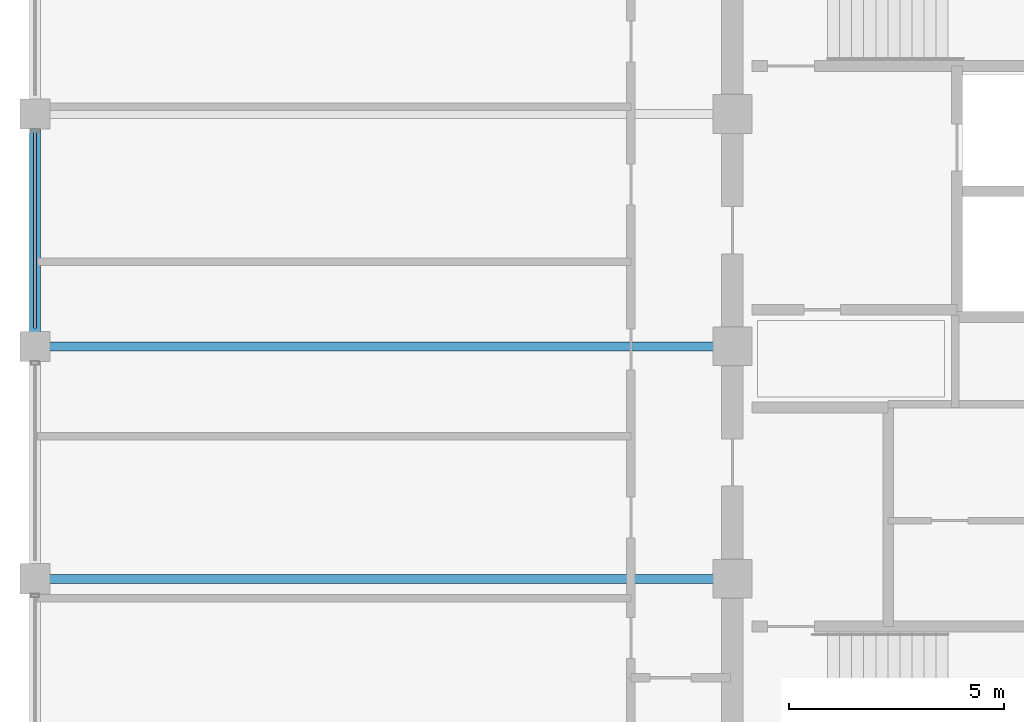
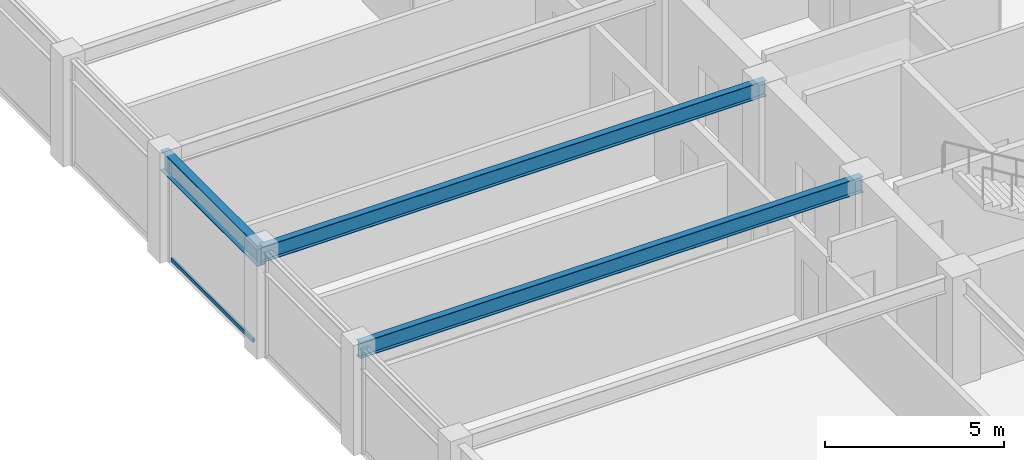
# One storey, part 9 of 30: 3 beams, 1 member, 1 element without a shape of its own.
"""IFC4 building model written with IfcOpenShell, lengths in metres."""

from ifc_helpers import new_model, si_unit, direction, frame, origin, origin_2d, place, context, subcontext, project, spatial, hollow_rectangle, i_section, extrude, material, layer, layer_set, material_profile, profile_set, type_object, element, aggregate, save


model = new_model("IFC4")

# Units and contexts
model_context = context("Model", 3, precision=1e-05, world=origin(), true_north=direction((0.0, 1.0)))
body_context = subcontext(model_context, "Body", "Model", "MODEL_VIEW")
ifc_project = project(units=[si_unit("LENGTHUNIT", "METRE"), si_unit("AREAUNIT", "SQUARE_METRE"), si_unit("VOLUMEUNIT", "CUBIC_METRE"), si_unit("PLANEANGLEUNIT", "RADIAN"), si_unit("MASSUNIT", "GRAM", prefix="KILO")], contexts=[model_context])

# Site, building, storey
site_placement = place(None, origin())
site = spatial("IfcSite", under=ifc_project, at=site_placement, CompositionType="ELEMENT")
building_placement = place(site_placement, origin())
building = spatial("IfcBuilding", under=site, at=building_placement, Name="Surkhivell Harbour Commons", CompositionType="ELEMENT")
storey_placement = place(building_placement, frame((0.0, 0.0, 300.0)))
storey = spatial("IfcBuildingStorey", under=building, at=storey_placement, Name="L78", CompositionType="ELEMENT", Elevation=300.0)

# Beams
ifc_material_1 = material(Name="Steel S355", Category="steel")
ifc_material_profile_1 = material_profile(ifc_material_1, i_section(OverallWidth=0.2099609375, OverallDepth=0.537109375, WebThickness=0.0107421875, FlangeThickness=0.017333984375, at=origin_2d()), Name="UB533x210x101")
ifc_profile_set_1 = profile_set([ifc_material_profile_1], Name="Steel S355")
beam_type_1 = type_object("IfcBeamType", Name="BM-GRD-533B", PredefinedType="BEAM", material=ifc_profile_set_1)
for number, where, z_axis, x_axis, name in (
    (1, (-27.0, -5.39990234375, 3.301513671875), (1.0, 0.0, 0.0), (0.0, 1.0, 0.0), "L78 Floor Girder (-27.0,-5.4)"),
    (2, (-27.0, 0.0, 3.301513671875), (1.0, 0.0, 0.0), (0.0, 1.0, 0.0), "L78 Floor Girder (-27.0,0.0)"),
):
    element("IfcBeam", number, at=place(storey_placement, frame(where, z_axis=z_axis, x_axis=x_axis)), inside=storey, type_object=beam_type_1, Name=name, PredefinedType="BEAM", context=body_context, shape_type="SweptSolid", body=[
        extrude(i_section(OverallWidth=0.2099609375, OverallDepth=0.537109375, WebThickness=0.0107421875, FlangeThickness=0.017333984375, at=origin_2d()), origin(), (0.0, 0.0, 1.0), 16.199951171875),
    ])
ifc_material_profile_2 = material_profile(ifc_material_1, i_section(OverallWidth=0.256103515625, OverallDepth=0.693115234375, WebThickness=0.014404296875, FlangeThickness=0.023681640625, at=origin_2d()), Name="UB686x254x170")
ifc_profile_set_2 = profile_set([ifc_material_profile_2], Name="Steel S355")
beam_type_2 = type_object("IfcBeamType", Name="BM-SPN-686", PredefinedType="SPANDREL", material=ifc_profile_set_2)
beam_placement = place(storey_placement, frame((-27.0, 0.0, 3.223388671875), z_axis=(0.0, 1.0, 0.0), x_axis=(-1.0, 0.0, 0.0)))
element("IfcBeam", 3, at=beam_placement, inside=storey, type_object=beam_type_2, Name="L78 Tube Spandrel (-27.0,0.0)", PredefinedType="SPANDREL", context=body_context, shape_type="SweptSolid", body=[
    extrude(i_section(OverallWidth=0.256103515625, OverallDepth=0.693115234375, WebThickness=0.014404296875, FlangeThickness=0.023681640625, at=origin_2d()), origin(), (0.0, 0.0, 1.0), 5.39990234375),
])

# Curtain wall, member
ifc_material_2 = material(Name="Anodised pale-metal aluminium and insulated glazing", Category="aluminium")
ifc_layer = layer(ifc_material_2, 0.175048828125)
ifc_layer_set = layer_set([ifc_layer], Name="Anodised pale-metal aluminium and insulated glazing")
curtain_wall_type = type_object("IfcCurtainWallType", Name="CW-SYS-Z4", PredefinedType="NOTDEFINED", material=ifc_layer_set)
curtain_wall_placement = place(storey_placement, origin())
curtain_wall = element("IfcCurtainWall", 4, at=curtain_wall_placement, inside=storey, type_object=curtain_wall_type, Name="L78 Curtain Wall CW-L78-E12S1", PredefinedType="NOTDEFINED")
ifc_material_3 = material(Name="Champagne anodised aluminium alloy 6063-T6", Category="aluminium")
ifc_material_profile_3 = material_profile(ifc_material_3, hollow_rectangle(XDim=0.070068359375, YDim=0.1298828125, WallThickness=0.00341796875, at=origin_2d()), Name="ALU-TRAN-70x130")
ifc_profile_set_3 = profile_set([ifc_material_profile_3], Name="Champagne anodised aluminium alloy 6063-T6")
member_type = type_object("IfcMemberType", Name="CWT-130", PredefinedType="USERDEFINED", material=ifc_profile_set_3)
member_placement = place(storey_placement, frame((-27.0, 4.972900390625, 0.06494140625), z_axis=(0.0, -1.0, 0.0), x_axis=(1.0, 0.0, 0.0)))
member = element("IfcMember", 5, at=member_placement, type_object=member_type, Name="CW-Z4 transom 4.1", ObjectType="TRANSOM", PredefinedType="USERDEFINED", context=body_context, shape_type="SweptSolid", body=[
    extrude(hollow_rectangle(XDim=0.070068359375, YDim=0.1298828125, WallThickness=0.00341796875, at=origin_2d()), origin(), (0.0, 0.0, 1.0), 4.5458984375),
])
aggregate(curtain_wall, [member])

save(model, "model.ifc")
